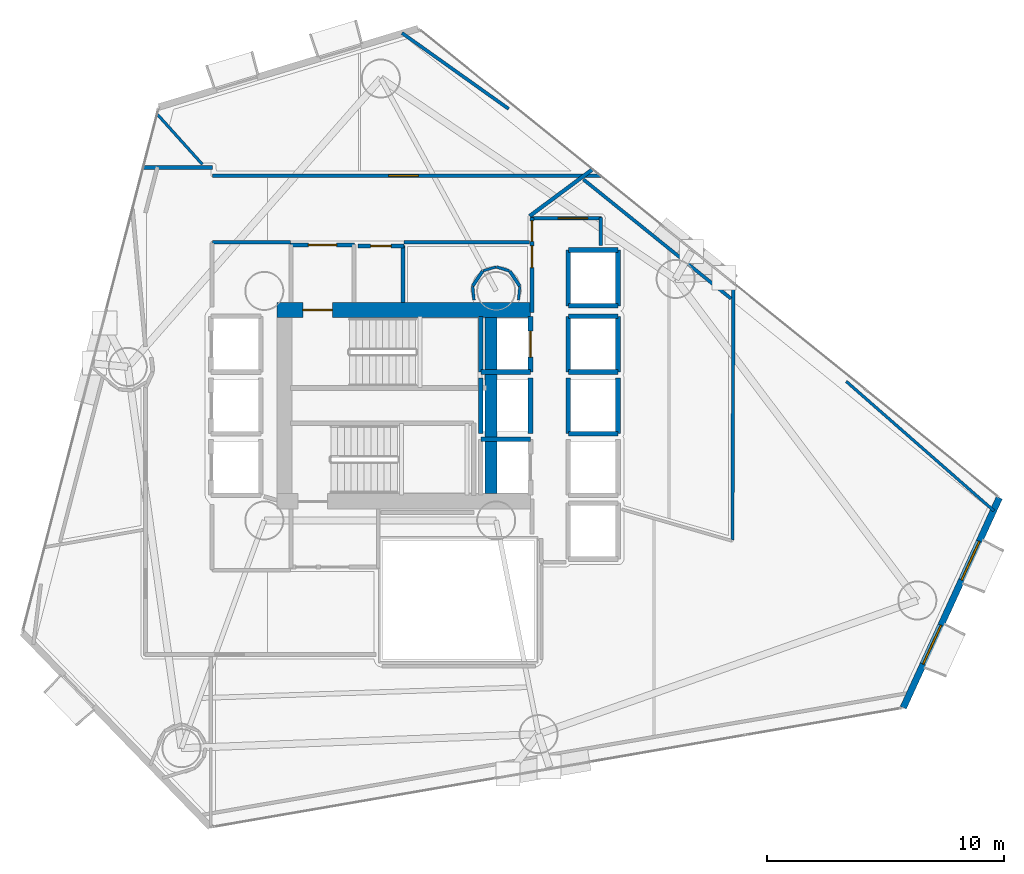
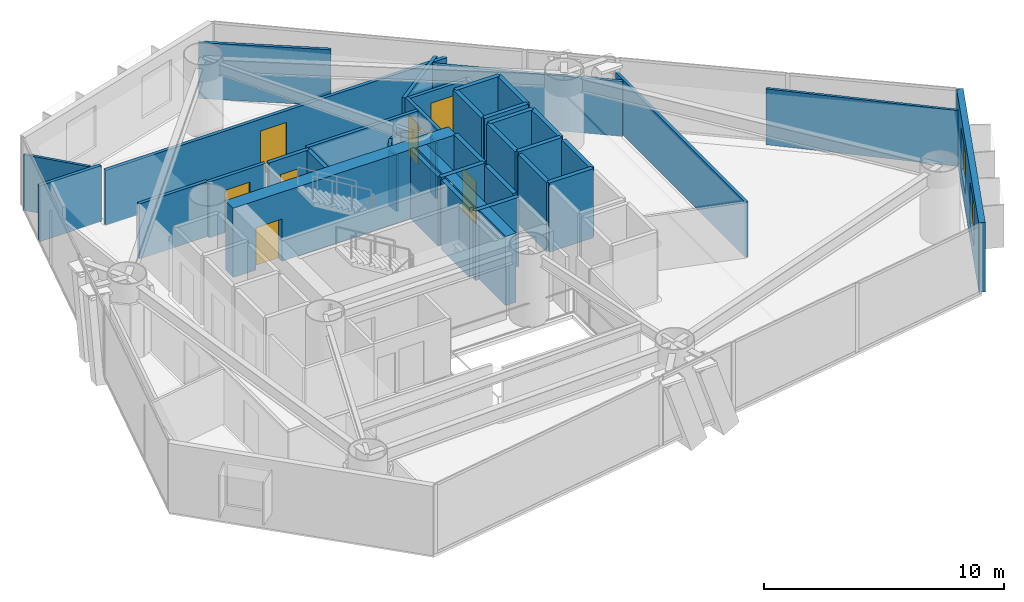
# One storey, part 18 of 23: 42 walls, 8 doors, 2 windows, 10 openings.
"""IFC4 building model written with IfcOpenShell, lengths in metres."""

from ifc_helpers import new_model, si_unit, direction, frame, frame_2d, origin, place, context, subcontext, project, spatial, rectangle, extrude, material, layer, layer_set, type_object, element, fill, save


model = new_model("IFC4")

# Units and contexts
model_context = context("Model", 3, precision=1e-05, world=origin(), true_north=direction((0.0, 1.0)))
body_context = subcontext(model_context, "Body", "Model", "MODEL_VIEW")
ifc_project = project(units=[si_unit("LENGTHUNIT", "METRE"), si_unit("AREAUNIT", "SQUARE_METRE"), si_unit("VOLUMEUNIT", "CUBIC_METRE"), si_unit("PLANEANGLEUNIT", "RADIAN"), si_unit("MASSUNIT", "GRAM", prefix="KILO")], contexts=[model_context])

# Site, building, storey
site_placement = place(None, origin())
site = spatial("IfcSite", under=ifc_project, at=site_placement, CompositionType="ELEMENT")
building_placement = place(site_placement, origin())
building = spatial("IfcBuilding", under=site, at=building_placement, Name="Qianvela Tower", CompositionType="ELEMENT")
storey_placement = place(building_placement, frame((0.0, 0.0, 82.10009765625)))
storey = spatial("IfcBuildingStorey", under=building, at=storey_placement, Name="L20", CompositionType="ELEMENT", Elevation=82.10009765625)

# Wall, openings, windows
ifc_material_1 = material(Name="Terracotta Cladding on Concrete C40", Category="masonry")
ifc_layer_1 = layer(ifc_material_1, 0.280029296875)
ifc_layer_set_1 = layer_set([ifc_layer_1], Name="Terracotta Cladding on Concrete C40")
wall_type_1 = type_object("IfcWallType", Name="TERRACOTTA-WALL-280", PredefinedType="SOLIDWALL", material=ifc_layer_set_1)
wall_1_placement = place(storey_placement, frame((55.60400390625, 15.93408203125, 0.0), z_axis=(0.0, 0.0, 1.0), x_axis=(0.415996733126, 0.909366107807, 0.0)))
wall_1 = element("IfcWall", 1, at=wall_1_placement, inside=storey, type_object=wall_type_1, Name="L20 Terracotta Chamfer Facet Wall 1", PredefinedType="SOLIDWALL", context=body_context, shape_type="SweptSolid", body=[
    extrude(rectangle(XDim=9.7626953125, YDim=0.280029296875, at=frame_2d((4.88134765625, 0.0))), origin(), (0.0, 0.0, 1.0), 3.52001953125),
])
opening_1_placement = place(wall_1_placement, frame((2.02880859375, 0.0, 0.85009765625)))
opening_1 = element("IfcOpeningElement", 2, at=opening_1_placement, cuts=wall_1, Name="Opening W-01", PredefinedType="OPENING", context=body_context, shape_type="SweptSolid", body=[
    extrude(rectangle(XDim=1.800048828125, YDim=2.10009765625, at=frame_2d((0.89990234375, 1.050048828125))), frame((0.0, 0.14990234375, 0.0), z_axis=(0.0, -1.0, 0.0), x_axis=(1.0, 0.0, 0.0)), (0.0, 0.0, 1.0), 0.300048828125),
])
opening_2_placement = place(wall_1_placement, frame((5.93408203125, 0.0, 0.85009765625)))
opening_2 = element("IfcOpeningElement", 3, at=opening_2_placement, cuts=wall_1, Name="Opening W-01", PredefinedType="OPENING", context=body_context, shape_type="SweptSolid", body=[
    extrude(rectangle(XDim=1.800048828125, YDim=2.10009765625, at=frame_2d((0.89990234375, 1.050048828125))), frame((0.0, 0.14990234375, 0.0), z_axis=(0.0, -1.0, 0.0), x_axis=(1.0, 0.0, 0.0)), (0.0, 0.0, 1.0), 0.300048828125),
])
ifc_material_2 = material(Name="Thermally Broken Aluminium and Low-E Glass", Category="aluminium")
window_type = type_object("IfcWindowType", Name="WIN-TC-1800x2100", PartitioningType="DOUBLE_PANEL_VERTICAL", PredefinedType="WINDOW", material=ifc_material_2)
window_1_placement = place(opening_1_placement, origin())
window_1 = element("IfcWindow", 4, at=window_1_placement, inside=storey, type_object=window_type, Name="L20 Chamfer Facet Window 1.1", OverallHeight=2.10009765625, OverallWidth=1.800048828125, PartitioningType="SINGLE_PANEL", PredefinedType="WINDOW", context=body_context, shape_type="SweptSolid", body=[
    extrude(rectangle(XDim=1.800048828125, YDim=2.10009765625, at=frame_2d((0.89990234375, 1.050048828125))), frame((0.0, 0.030029296875, 0.0), z_axis=(0.0, -1.0, 0.0), x_axis=(1.0, 0.0, 0.0)), (0.0, 0.0, 1.0), 0.06005859375),
])
fill(opening_1, window_1)
window_2_placement = place(opening_2_placement, origin())
window_2 = element("IfcWindow", 5, at=window_2_placement, inside=storey, type_object=window_type, Name="L20 Chamfer Facet Window 1.2", OverallHeight=2.10009765625, OverallWidth=1.800048828125, PartitioningType="SINGLE_PANEL", PredefinedType="WINDOW", context=body_context, shape_type="SweptSolid", body=[
    extrude(rectangle(XDim=1.800048828125, YDim=2.10009765625, at=frame_2d((0.89990234375, 1.050048828125))), frame((0.0, 0.030029296875, 0.0), z_axis=(0.0, -1.0, 0.0), x_axis=(1.0, 0.0, 0.0)), (0.0, 0.0, 1.0), 0.06005859375),
])
fill(opening_2, window_2)

# Wall, opening, door
ifc_material_3 = material(Name="Concrete C60", Category="concrete")
ifc_layer_2 = layer(ifc_material_3, 0.64990234375)
ifc_layer_set_2 = layer_set([ifc_layer_2], Name="Concrete C60")
wall_type_2 = type_object("IfcWallType", Name="WT-CORE-650", PredefinedType="SHEAR", material=ifc_layer_set_2)
wall_2_placement = place(storey_placement, frame((29.1298828125, 32.7451171875, 0.0), z_axis=(0.0, 0.0, 1.0), x_axis=(1.0, 0.0, 0.0)))
wall_2 = element("IfcWall", 6, at=wall_2_placement, inside=storey, type_object=wall_type_2, Name="L20 North Core Shear Wall", PredefinedType="SHEAR", context=body_context, shape_type="SweptSolid", body=[
    extrude(rectangle(XDim=10.72021484375, YDim=0.64990234375, at=frame_2d((5.360107421875, 0.0))), origin(), (0.0, 0.0, 1.0), 3.52001953125),
])
opening_3_placement = place(wall_2_placement, frame((1.094970703125, 0.0, 0.0)))
opening_3 = element("IfcOpeningElement", 7, at=opening_3_placement, cuts=wall_2, Name="Opening D-ST1", PredefinedType="OPENING", context=body_context, shape_type="SweptSolid", body=[
    extrude(rectangle(XDim=1.25, YDim=2.14990234375, at=frame_2d((0.625, 1.074951171875))), frame((0.0, 0.3349609375, 0.0), z_axis=(0.0, -1.0, 0.0), x_axis=(1.0, 0.0, 0.0)), (0.0, 0.0, 1.0), 0.669921875),
])
ifc_material_4 = material(Name="Galvanised Fire Steel Q355B", Category="steel")
door_type_1 = type_object("IfcDoorType", Name="DT-STAIR-FD90", OperationType="NOTDEFINED", PredefinedType="DOOR", material=ifc_material_4)
door_1_placement = place(opening_3_placement, origin())
door_1 = element("IfcDoor", 8, at=door_1_placement, inside=storey, type_object=door_type_1, Name="L20 Stair ST-1 Exit Door", OperationType="SINGLE_SWING_RIGHT", OverallHeight=2.14990234375, OverallWidth=1.25, PredefinedType="DOOR", context=body_context, shape_type="SweptSolid", body=[
    extrude(rectangle(XDim=1.25, YDim=2.14990234375, at=frame_2d((0.625, 1.074951171875))), frame((0.0, 0.02490234375, 0.0), z_axis=(0.0, -1.0, 0.0), x_axis=(1.0, 0.0, 0.0)), (0.0, 0.0, 1.0), 0.050048828125),
])
fill(opening_3, door_1)

# Wall
wall_3_placement = place(storey_placement, frame((38.179931640625, 24.97998046875, 0.0), z_axis=(0.0, 0.0, 1.0), x_axis=(0.0, 1.0, 0.0)))
element("IfcWall", 9, at=wall_3_placement, inside=storey, type_object=wall_type_2, Name="L20 East Spine Core Shear Wall", PredefinedType="SHEAR", context=body_context, shape_type="SweptSolid", body=[
    extrude(rectangle(XDim=7.43994140625, YDim=0.5, at=frame_2d((3.719970703125, 0.0))), origin(), (0.0, 0.0, 1.0), 3.52001953125),
])

# Wall, opening, door
ifc_material_5 = material(Name="Fire-Rated Gypsum and Concrete Block", Category="concrete")
ifc_layer_3 = layer(ifc_material_5, 0.159912109375)
ifc_layer_set_3 = layer_set([ifc_layer_3], Name="Fire-Rated Gypsum and Concrete Block")
wall_type_3 = type_object("IfcWallType", Name="WT-CORR-160", PredefinedType="PARTITIONING", material=ifc_layer_set_3)
wall_4_placement = place(storey_placement, frame((29.699951171875, 35.489013671875, 0.0), z_axis=(0.0, 0.0, 1.0), x_axis=(1.0, 0.0, 0.0)))
wall_4 = element("IfcWall", 10, at=wall_4_placement, inside=storey, type_object=wall_type_3, Name="L20 Partition 3", PredefinedType="PARTITIONING", context=body_context, shape_type="SweptSolid", body=[
    extrude(rectangle(XDim=2.719970703125, YDim=0.159912109375, at=frame_2d((1.35986328125, 0.0))), origin(), (0.0, 0.0, 1.0), 2.83984375),
])
opening_4_placement = place(wall_4_placement, frame((0.760009765625, 0.0, 0.0)))
opening_4 = element("IfcOpeningElement", 11, at=opening_4_placement, cuts=wall_4, Name="Opening D-LB1", PredefinedType="OPENING", context=body_context, shape_type="SweptSolid", body=[
    extrude(rectangle(XDim=1.199951171875, YDim=2.14990234375, at=frame_2d((0.60009765625, 1.074951171875))), frame((0.0, 0.08984375, 0.0), z_axis=(0.0, -1.0, 0.0), x_axis=(1.0, 0.0, 0.0)), (0.0, 0.0, 1.0), 0.179931640625),
])
ifc_material_6 = material(Name="Glazed Fire-Rated Steel Frame", Category="steel")
door_type_2 = type_object("IfcDoorType", Name="DT-LOBBY-FD90", OperationType="NOTDEFINED", PredefinedType="DOOR", material=ifc_material_6)
door_2_placement = place(opening_4_placement, origin())
door_2 = element("IfcDoor", 12, at=door_2_placement, inside=storey, type_object=door_type_2, Name="L20 Door L20 Firefighting Lobby North to L20 Floor Corridor", OperationType="SINGLE_SWING_RIGHT", OverallHeight=2.14990234375, OverallWidth=1.199951171875, PredefinedType="DOOR", context=body_context, shape_type="SweptSolid", body=[
    extrude(rectangle(XDim=1.199951171875, YDim=2.14990234375, at=frame_2d((0.60009765625, 1.074951171875))), frame((0.0, 0.02490234375, 0.0), z_axis=(0.0, -1.0, 0.0), x_axis=(1.0, 0.0, 0.0)), (0.0, 0.0, 1.0), 0.050048828125),
])
fill(opening_4, door_2)

# Wall, openings, doors
wall_5_placement = place(storey_placement, frame((39.910888671875, 32.639892578125, 0.0), z_axis=(0.0, 0.0, 1.0), x_axis=(0.0, 1.0, 0.0)))
wall_5 = element("IfcWall", 13, at=wall_5_placement, inside=storey, type_object=wall_type_3, Name="L20 Partition 10", PredefinedType="PARTITIONING", context=body_context, shape_type="SweptSolid", body=[
    extrude(rectangle(XDim=4.010009765625, YDim=0.159912109375, at=frame_2d((2.0048828125, 0.0))), origin(), (0.0, 0.0, 1.0), 2.83984375),
])
opening_5_placement = place(wall_5_placement, frame((3.010009765625, 0.0, 0.0)))
opening_5 = element("IfcOpeningElement", 14, at=opening_5_placement, cuts=wall_5, Name="Opening D-LB2", PredefinedType="OPENING", context=body_context, shape_type="SweptSolid", body=[
    extrude(rectangle(XDim=0.860107421875, YDim=2.050048828125, at=frame_2d((0.43017578125, 1.02490234375))), frame((0.0, 0.08984375, 0.0), z_axis=(0.0, -1.0, 0.0), x_axis=(1.0, 0.0, 0.0)), (0.0, 0.0, 1.0), 0.179931640625),
])
opening_6_placement = place(wall_5_placement, frame((1.900390625, 0.0, 0.0)))
opening_6 = element("IfcOpeningElement", 15, at=opening_6_placement, cuts=wall_5, Name="Opening D-RM2", PredefinedType="OPENING", context=body_context, shape_type="SweptSolid", body=[
    extrude(rectangle(XDim=0.919921875, YDim=2.10009765625, at=frame_2d((0.4599609375, 1.050048828125))), frame((0.0, 0.08984375, 0.0), z_axis=(0.0, -1.0, 0.0), x_axis=(1.0, 0.0, 0.0)), (0.0, 0.0, 1.0), 0.179931640625),
])
ifc_material_7 = material(Name="Insulated Steel Fire Door Q355B", Category="steel")
door_type_3 = type_object("IfcDoorType", Name="DT-LOBBY-FD90-860", OperationType="NOTDEFINED", PredefinedType="DOOR", material=ifc_material_7)
door_3_placement = place(opening_5_placement, origin())
door_3 = element("IfcDoor", 16, at=door_3_placement, inside=storey, type_object=door_type_3, Name="L20 Door L20 Lift Lobby to L20 Floor Corridor", OperationType="SINGLE_SWING_RIGHT", OverallHeight=2.050048828125, OverallWidth=0.860107421875, PredefinedType="DOOR", context=body_context, shape_type="SweptSolid", body=[
    extrude(rectangle(XDim=0.860107421875, YDim=2.050048828125, at=frame_2d((0.43017578125, 1.02490234375))), frame((0.0, 0.02490234375, 0.0), z_axis=(0.0, -1.0, 0.0), x_axis=(1.0, 0.0, 0.0)), (0.0, 0.0, 1.0), 0.050048828125),
])
fill(opening_5, door_3)
ifc_material_8 = material(Name="Acoustic Oak Veneer Timber Door", Category="wood")
door_type_4 = type_object("IfcDoorType", Name="DT-ROOM-920", OperationType="NOTDEFINED", PredefinedType="DOOR", material=ifc_material_8)
door_4_placement = place(opening_6_placement, origin())
door_4 = element("IfcDoor", 17, at=door_4_placement, inside=storey, type_object=door_type_4, Name="L20 Door Project Huddle Conference L20-04 to L20 Lift Lobby", OperationType="SINGLE_SWING_LEFT", OverallHeight=2.10009765625, OverallWidth=0.919921875, PredefinedType="DOOR", context=body_context, shape_type="SweptSolid", body=[
    extrude(rectangle(XDim=0.919921875, YDim=2.10009765625, at=frame_2d((0.4599609375, 1.050048828125))), frame((0.0, 0.02490234375, 0.0), z_axis=(0.0, -1.0, 0.0), x_axis=(1.0, 0.0, 0.0)), (0.0, 0.0, 1.0), 0.050048828125),
])
fill(opening_6, door_4)

# Wall, opening, door
wall_6_placement = place(storey_placement, frame((39.8798828125, 36.618896484375, 0.0), z_axis=(0.0, 0.0, 1.0), x_axis=(1.0, 0.0, 0.0)))
wall_6 = element("IfcWall", 18, at=wall_6_placement, inside=storey, type_object=wall_type_3, Name="L20 Partition 11", PredefinedType="PARTITIONING", context=body_context, shape_type="SweptSolid", body=[
    extrude(rectangle(XDim=2.97021484375, YDim=0.159912109375, at=frame_2d((1.485107421875, 0.0))), origin(), (0.0, 0.0, 1.0), 2.7978515625),
])
opening_7_placement = place(wall_6_placement, frame((1.139892578125, 0.0, 0.0)))
opening_7 = element("IfcOpeningElement", 19, at=opening_7_placement, cuts=wall_6, Name="Opening D-LG1", PredefinedType="OPENING", context=body_context, shape_type="SweptSolid", body=[
    extrude(rectangle(XDim=1.25, YDim=2.199951171875, at=frame_2d((0.625, 1.10009765625))), frame((0.0, 0.08984375, 0.0), z_axis=(0.0, -1.0, 0.0), x_axis=(1.0, 0.0, 0.0)), (0.0, 0.0, 1.0), 0.179931640625),
])
ifc_material_9 = material(Name="Anodised Aluminium Acoustic Glass Door", Category="aluminium")
door_type_5 = type_object("IfcDoorType", Name="DT-LOUNGE-1250", OperationType="NOTDEFINED", PredefinedType="DOOR", material=ifc_material_9)
door_5_placement = place(opening_7_placement, origin())
door_5 = element("IfcDoor", 20, at=door_5_placement, inside=storey, type_object=door_type_5, Name="L20 Door Tutorial Breakout Seminar L20-03 to L20 Lift Lobby", OperationType="SINGLE_SWING_LEFT", OverallHeight=2.199951171875, OverallWidth=1.25, PredefinedType="DOOR", context=body_context, shape_type="SweptSolid", body=[
    extrude(rectangle(XDim=1.25, YDim=2.199951171875, at=frame_2d((0.625, 1.10009765625))), frame((0.0, 0.02490234375, 0.0), z_axis=(0.0, -1.0, 0.0), x_axis=(1.0, 0.0, 0.0)), (0.0, 0.0, 1.0), 0.050048828125),
])
fill(opening_7, door_5)

# Walls
wall_7_placement = place(storey_placement, frame((42.819091796875, 36.64990234375, 0.0), z_axis=(0.0, 0.0, 1.0), x_axis=(0.0, -1.0, 0.0)))
element("IfcWall", 21, at=wall_7_placement, inside=storey, type_object=wall_type_3, Name="L20 Partition 12", PredefinedType="PARTITIONING", context=body_context, shape_type="SweptSolid", body=[
    extrude(rectangle(XDim=1.169921875, YDim=0.159912109375, at=frame_2d((0.5849609375, 0.0))), origin(), (0.0, 0.0, 1.0), 2.7978515625),
])
wall_8_placement = place(storey_placement, frame((23.461669921875, 38.76904296875, 0.0), z_axis=(0.0, 0.0, 1.0), x_axis=(1.0, 0.0, 0.0)))
element("IfcWall", 22, at=wall_8_placement, inside=storey, type_object=wall_type_3, Name="L20 Partition 37", PredefinedType="PARTITIONING", context=body_context, shape_type="SweptSolid", body=[
    extrude(rectangle(XDim=2.958251953125, YDim=0.159912109375, at=frame_2d((1.47900390625, 0.0))), origin(), (0.0, 0.0, 1.0), 2.83984375),
])

# Wall, opening, door
wall_9_placement = place(storey_placement, frame((26.419921875, 38.4189453125, 0.0), z_axis=(0.0, 0.0, 1.0), x_axis=(1.0, 0.0, 0.0)))
wall_9 = element("IfcWall", 23, at=wall_9_placement, inside=storey, type_object=wall_type_3, Name="L20 Partition 38", PredefinedType="PARTITIONING", context=body_context, shape_type="SweptSolid", body=[
    extrude(rectangle(XDim=16.41015625, YDim=0.159912109375, at=frame_2d((8.205078125, 0.0))), origin(), (0.0, 0.0, 1.0), 2.7978515625),
])
opening_8_placement = place(wall_9_placement, frame((7.437744140625, 0.0, 0.0)))
opening_8 = element("IfcOpeningElement", 24, at=opening_8_placement, cuts=wall_9, Name="Opening D-LG1", PredefinedType="OPENING", context=body_context, shape_type="SweptSolid", body=[
    extrude(rectangle(XDim=1.25, YDim=2.199951171875, at=frame_2d((0.625, 1.10009765625))), frame((0.0, 0.08984375, 0.0), z_axis=(0.0, -1.0, 0.0), x_axis=(1.0, 0.0, 0.0)), (0.0, 0.0, 1.0), 0.179931640625),
])
door_6_placement = place(opening_8_placement, origin())
door_6 = element("IfcDoor", 25, at=door_6_placement, inside=storey, type_object=door_type_5, Name="L20 Door Debate Lecture Classroom L20-05 to L20 Floor Corridor", OperationType="SINGLE_SWING_RIGHT", OverallHeight=2.199951171875, OverallWidth=1.25, PredefinedType="DOOR", context=body_context, shape_type="SweptSolid", body=[
    extrude(rectangle(XDim=1.25, YDim=2.199951171875, at=frame_2d((0.625, 1.10009765625))), frame((0.0, 0.02490234375, 0.0), z_axis=(0.0, -1.0, 0.0), x_axis=(1.0, 0.0, 0.0)), (0.0, 0.0, 1.0), 0.050048828125),
])
fill(opening_8, door_6)

# Walls
wall_10_placement = place(storey_placement, frame((42.490234375, 38.701904296875, 0.0), z_axis=(0.0, 0.0, 1.0), x_axis=(-0.802811948591, -0.596232316467, 0.0)))
element("IfcWall", 26, at=wall_10_placement, inside=storey, type_object=wall_type_3, Name="L20 Partition 39", PredefinedType="PARTITIONING", context=body_context, shape_type="SweptSolid", body=[
    extrude(rectangle(XDim=3.333984375, YDim=0.159912109375, at=frame_2d((1.6669921875, 0.0))), origin(), (0.0, 0.0, 1.0), 2.7978515625),
])
wall_11_placement = place(storey_placement, frame((39.818115234375, 35.611083984375, 0.0), z_axis=(0.0, 0.0, 1.0), x_axis=(-1.0, 0.0, 0.0)))
element("IfcWall", 27, at=wall_11_placement, inside=storey, type_object=wall_type_3, Name="L20 Partition 41 seg 1", PredefinedType="PARTITIONING", context=body_context, shape_type="SweptSolid", body=[
    extrude(rectangle(XDim=5.318115234375, YDim=0.159912109375, at=frame_2d((2.6591796875, 0.0))), origin(), (0.0, 0.0, 1.0), 2.83984375),
])
wall_12_placement = place(storey_placement, frame((29.699951171875, 35.611083984375, 0.0), z_axis=(0.0, 0.0, 1.0), x_axis=(-1.0, 0.0, 0.0)))
element("IfcWall", 28, at=wall_12_placement, inside=storey, type_object=wall_type_3, Name="L20 Partition 41 seg 3", PredefinedType="PARTITIONING", context=body_context, shape_type="SweptSolid", body=[
    extrude(rectangle(XDim=3.280029296875, YDim=0.159912109375, at=frame_2d((1.64013671875, 0.0))), origin(), (0.0, 0.0, 1.0), 2.7978515625),
])
ifc_material_10 = material(Name="Lightweight Gypsum Room Partition")
ifc_layer_4 = layer(ifc_material_10, 0.10498046875)
ifc_layer_set_4 = layer_set([ifc_layer_4], Name="Lightweight Gypsum Room Partition")
wall_type_4 = type_object("IfcWallType", Name="WT-PART-105", PredefinedType="PARTITIONING", material=ifc_layer_set_4)
wall_13_placement = place(storey_placement, frame((39.3408203125, 33.169921875, 0.0), z_axis=(0.0, 0.0, 1.0), x_axis=(0.098193262045, 0.995167364461, 0.0)))
element("IfcWall", 29, at=wall_13_placement, inside=storey, type_object=wall_type_4, Name="L20 Partition 92", PredefinedType="PARTITIONING", context=body_context, shape_type="SweptSolid", body=[
    extrude(rectangle(XDim=0.57177734375, YDim=0.10498046875, at=frame_2d((0.285888671875, 0.0))), origin(), (0.0, 0.0, 1.0), 2.83984375),
])
wall_14_placement = place(storey_placement, frame((38.39111328125, 34.564697265625, 0.0), z_axis=(0.0, 0.0, 1.0), x_axis=(-0.956952578659, -0.290244314669, 0.0)))
element("IfcWall", 30, at=wall_14_placement, inside=storey, type_object=wall_type_4, Name="L20 Partition 95", PredefinedType="PARTITIONING", context=body_context, shape_type="SweptSolid", body=[
    extrude(rectangle(XDim=0.572021484375, YDim=0.10498046875, at=frame_2d((0.2861328125, 0.0))), origin(), (0.0, 0.0, 1.0), 2.83984375),
])
ifc_material_11 = material(Name="Insulated Gypsum Stud Partition")
ifc_layer_5 = layer(ifc_material_11, 0.1201171875)
ifc_layer_set_5 = layer_set([ifc_layer_5], Name="Insulated Gypsum Stud Partition")
wall_type_5 = type_object("IfcWallType", Name="WT-PART-120", PredefinedType="PARTITIONING", material=ifc_layer_set_5)
wall_15_placement = place(storey_placement, frame((53.1923828125, 29.72900390625, 0.0), z_axis=(0.0, 0.0, 1.0), x_axis=(0.752029737889, -0.65912917803, 0.0)))
element("IfcWall", 31, at=wall_15_placement, inside=storey, type_object=wall_type_5, Name="L20 Partition 67 seg 1", PredefinedType="PARTITIONING", context=body_context, shape_type="SweptSolid", body=[
    extrude(rectangle(XDim=8.299072265625, YDim=0.1201171875, at=frame_2d((4.1494140625, 0.0))), origin(), (0.0, 0.0, 1.0), 2.83984375),
])
wall_16_placement = place(storey_placement, frame((38.956298828125, 34.398681640625, 0.0), z_axis=(0.0, 0.0, 1.0), x_axis=(-0.956952578659, 0.290244314669, 0.0)))
element("IfcWall", 32, at=wall_16_placement, inside=storey, type_object=wall_type_5, Name="L20 Partition 94", PredefinedType="PARTITIONING", context=body_context, shape_type="SweptSolid", body=[
    extrude(rectangle(XDim=0.572021484375, YDim=0.1201171875, at=frame_2d((0.2861328125, 0.0))), origin(), (0.0, 0.0, 1.0), 2.83984375),
])
wall_17_placement = place(storey_placement, frame((37.403076171875, 33.739013671875, 0.0), z_axis=(0.0, 0.0, 1.0), x_axis=(0.097770424665, -0.995208995167, 0.0)))
element("IfcWall", 33, at=wall_17_placement, inside=storey, type_object=wall_type_5, Name="L20 Partition 97", PredefinedType="PARTITIONING", context=body_context, shape_type="SweptSolid", body=[
    extrude(rectangle(XDim=0.57177734375, YDim=0.1201171875, at=frame_2d((0.285888671875, 0.0))), origin(), (0.0, 0.0, 1.0), 2.83984375),
])
wall_18_placement = place(storey_placement, frame((25.982421875, 38.900634765625, 0.0), z_axis=(0.0, 0.0, 1.0), x_axis=(-0.669105172326, 0.743167725595, 0.0)))
element("IfcWall", 34, at=wall_18_placement, inside=storey, type_object=wall_type_5, Name="L20 Partition 103", PredefinedType="PARTITIONING", context=body_context, shape_type="SweptSolid", body=[
    extrude(rectangle(XDim=2.881103515625, YDim=0.1201171875, at=frame_2d((1.4404296875, 0.0))), origin(), (0.0, 0.0, 1.0), 2.83984375),
])

# Wall, opening, door
ifc_material_12 = material(Name="Moisture-Resistant Acoustic Plumbing Wall")
ifc_layer_6 = layer(ifc_material_12, 0.175048828125)
ifc_layer_set_6 = layer_set([ifc_layer_6], Name="Moisture-Resistant Acoustic Plumbing Wall")
wall_type_6 = type_object("IfcWallType", Name="WT-PLUMB-175", PredefinedType="PLUMBINGWALL", material=ifc_layer_set_6)
wall_19_placement = place(storey_placement, frame((32.550048828125, 35.448974609375, 0.0), z_axis=(0.0, 0.0, 1.0), x_axis=(1.0, 0.0, 0.0)))
wall_19 = element("IfcWall", 35, at=wall_19_placement, inside=storey, type_object=wall_type_6, Name="L20 Partition 20", PredefinedType="PLUMBINGWALL", context=body_context, shape_type="SweptSolid", body=[
    extrude(rectangle(XDim=1.949951171875, YDim=0.175048828125, at=frame_2d((0.97509765625, 0.0))), origin(), (0.0, 0.0, 1.0), 2.83984375),
])
opening_9_placement = place(wall_19_placement, frame((0.544921875, 0.0, 0.0)))
opening_9 = element("IfcOpeningElement", 36, at=opening_9_placement, cuts=wall_19, Name="Opening D-WC1", PredefinedType="OPENING", context=body_context, shape_type="SweptSolid", body=[
    extrude(rectangle(XDim=0.860107421875, YDim=2.050048828125, at=frame_2d((0.43017578125, 1.02490234375))), frame((0.0, 0.097412109375, 0.0), z_axis=(0.0, -1.0, 0.0), x_axis=(1.0, 0.0, 0.0)), (0.0, 0.0, 1.0), 0.195068359375),
])
ifc_material_13 = material(Name="Moisture-Sealed Acoustic Timber Door", Category="wood")
door_type_6 = type_object("IfcDoorType", Name="DT-WC-860", OperationType="NOTDEFINED", PredefinedType="DOOR", material=ifc_material_13)
door_7_placement = place(opening_9_placement, origin())
door_7 = element("IfcDoor", 37, at=door_7_placement, inside=storey, type_object=door_type_6, Name="L20 Door L20 Accessible WC to L20 Floor Corridor", OperationType="SINGLE_SWING_LEFT", OverallHeight=2.050048828125, OverallWidth=0.860107421875, PredefinedType="DOOR", context=body_context, shape_type="SweptSolid", body=[
    extrude(rectangle(XDim=0.860107421875, YDim=2.050048828125, at=frame_2d((0.43017578125, 1.02490234375))), frame((0.0, 0.02490234375, 0.0), z_axis=(0.0, -1.0, 0.0), x_axis=(1.0, 0.0, 0.0)), (0.0, 0.0, 1.0), 0.050048828125),
])
fill(opening_9, door_7)

# Walls
wall_20_placement = place(storey_placement, frame((34.468994140625, 35.47998046875, 0.0), z_axis=(0.0, 0.0, 1.0), x_axis=(0.0, -1.0, 0.0)))
element("IfcWall", 38, at=wall_20_placement, inside=storey, type_object=wall_type_6, Name="L20 Partition 21", PredefinedType="PLUMBINGWALL", context=body_context, shape_type="SweptSolid", body=[
    extrude(rectangle(XDim=2.421875, YDim=0.175048828125, at=frame_2d((1.2109375, 0.0))), origin(), (0.0, 0.0, 1.0), 2.83984375),
])
ifc_material_14 = material(Name="Acoustic Double Gypsum Stud Partition")
ifc_layer_7 = layer(ifc_material_14, 0.139892578125)
ifc_layer_set_7 = layer_set([ifc_layer_7], Name="Acoustic Double Gypsum Stud Partition")
wall_type_7 = type_object("IfcWallType", Name="WT-ROOM-140", PredefinedType="PARTITIONING", material=ifc_layer_set_7)
wall_21_placement = place(storey_placement, frame((48.3837890625, 23.02587890625, 0.0), z_axis=(0.0, 0.0, 1.0), x_axis=(0.003927258762, 0.99999228829, 0.0)))
element("IfcWall", 39, at=wall_21_placement, inside=storey, type_object=wall_type_7, Name="L20 Partition 66", PredefinedType="PARTITIONING", context=body_context, shape_type="SweptSolid", body=[
    extrude(rectangle(XDim=10.87890625, YDim=0.139892578125, at=frame_2d((5.439453125, 0.0))), origin(), (0.0, 0.0, 1.0), 2.7978515625),
])
wall_22_placement = place(storey_placement, frame((42.08984375, 38.260009765625, 0.0), z_axis=(0.0, 0.0, 1.0), x_axis=(0.778096949257, -0.628144201244, 0.0)))
element("IfcWall", 40, at=wall_22_placement, inside=storey, type_object=wall_type_7, Name="L20 Partition 84", PredefinedType="PARTITIONING", context=body_context, shape_type="SweptSolid", body=[
    extrude(rectangle(XDim=8.013671875, YDim=0.139892578125, at=frame_2d((4.0068359375, 0.0))), origin(), (0.0, 0.0, 1.0), 2.7978515625),
])
wall_23_placement = place(storey_placement, frame((39.391845703125, 33.759521484375, 0.0), z_axis=(0.0, 0.0, 1.0), x_axis=(-0.555746078923, 0.831352088926, 0.0)))
element("IfcWall", 41, at=wall_23_placement, inside=storey, type_object=wall_type_7, Name="L20 Partition 93", PredefinedType="PARTITIONING", context=body_context, shape_type="SweptSolid", body=[
    extrude(rectangle(XDim=0.75390625, YDim=0.139892578125, at=frame_2d((0.376953125, 0.0))), origin(), (0.0, 0.0, 1.0), 2.83984375),
])
wall_24_placement = place(storey_placement, frame((37.826904296875, 34.38623046875, 0.0), z_axis=(0.0, 0.0, 1.0), x_axis=(-0.555522182913, -0.831501716349, 0.0)))
element("IfcWall", 42, at=wall_24_placement, inside=storey, type_object=wall_type_7, Name="L20 Partition 96", PredefinedType="PARTITIONING", context=body_context, shape_type="SweptSolid", body=[
    extrude(rectangle(XDim=0.753662109375, YDim=0.139892578125, at=frame_2d((0.376953125, 0.0))), origin(), (0.0, 0.0, 1.0), 2.83984375),
])
wall_25_placement = place(storey_placement, frame((34.4189453125, 44.452392578125, 0.0), z_axis=(0.0, 0.0, 1.0), x_axis=(0.814826110471, -0.579705450806, 0.0)))
element("IfcWall", 43, at=wall_25_placement, inside=storey, type_object=wall_type_7, Name="L20 Partition 105 seg 1", PredefinedType="PARTITIONING", context=body_context, shape_type="SweptSolid", body=[
    extrude(rectangle(XDim=5.533447265625, YDim=0.139892578125, at=frame_2d((2.7666015625, 0.0))), origin(), (0.0, 0.0, 1.0), 2.83984375),
])

# Wall, opening, door
ifc_material_15 = material(Name="Concrete C50", Category="concrete")
ifc_layer_8 = layer(ifc_material_15, 0.199951171875)
ifc_layer_set_8 = layer_set([ifc_layer_8], Name="Concrete C50")
wall_type_8 = type_object("IfcWallType", Name="WT-SHAFT-200", PredefinedType="SOLIDWALL", material=ifc_layer_set_8)
wall_26_placement = place(storey_placement, frame((39.85009765625, 30.1201171875, 0.0), z_axis=(0.0, 0.0, 1.0), x_axis=(0.0, 1.0, 0.0)))
wall_26 = element("IfcWall", 44, at=wall_26_placement, inside=storey, type_object=wall_type_8, Name="L20 Lift FL-1 E Shaft Wall", PredefinedType="SOLIDWALL", context=body_context, shape_type="SweptSolid", body=[
    extrude(rectangle(XDim=2.35986328125, YDim=0.199951171875, at=frame_2d((1.179931640625, 0.0))), origin(), (0.0, 0.0, 1.0), 3.52001953125),
])
opening_10_placement = place(wall_26_placement, frame((0.6298828125, 0.0, 0.0)))
opening_10 = element("IfcOpeningElement", 45, at=opening_10_placement, cuts=wall_26, Name="Opening LD-01", PredefinedType="OPENING", context=body_context, shape_type="SweptSolid", body=[
    extrude(rectangle(XDim=1.10009765625, YDim=2.14990234375, at=frame_2d((0.550048828125, 1.074951171875))), frame((0.0, 0.10986328125, 0.0), z_axis=(0.0, -1.0, 0.0), x_axis=(1.0, 0.0, 0.0)), (0.0, 0.0, 1.0), 0.219970703125),
])
ifc_material_16 = material(Name="Brushed Stainless Steel Lift Landing Door", Category="steel")
door_type_7 = type_object("IfcDoorType", Name="DT-LIFT-SLIDE-1100", OperationType="SLIDING_TO_LEFT", PredefinedType="DOOR", material=ifc_material_16)
door_8_placement = place(opening_10_placement, origin())
door_8 = element("IfcDoor", 46, at=door_8_placement, inside=storey, type_object=door_type_7, Name="L20 Lift FL-1 Sliding Landing Door", OperationType="SLIDING_TO_LEFT", OverallHeight=2.14990234375, OverallWidth=1.10009765625, PredefinedType="DOOR", context=body_context, shape_type="SweptSolid", body=[
    extrude(rectangle(XDim=1.10009765625, YDim=2.14990234375, at=frame_2d((0.550048828125, 1.074951171875))), frame((0.0, 0.02490234375, 0.0), z_axis=(0.0, -1.0, 0.0), x_axis=(1.0, 0.0, 0.0)), (0.0, 0.0, 1.0), 0.050048828125),
])
fill(opening_10, door_8)

# Walls
wall_27_placement = place(storey_placement, frame((37.75, 30.1201171875, 0.0), z_axis=(0.0, 0.0, 1.0), x_axis=(0.0, 1.0, 0.0)))
element("IfcWall", 47, at=wall_27_placement, inside=storey, type_object=wall_type_8, Name="L20 Lift FL-1 W Shaft Wall", PredefinedType="SOLIDWALL", context=body_context, shape_type="SweptSolid", body=[
    extrude(rectangle(XDim=2.35986328125, YDim=0.199951171875, at=frame_2d((1.179931640625, 0.0))), origin(), (0.0, 0.0, 1.0), 3.52001953125),
])
for number, where, z_axis, x_axis, name in (
    (48, (37.75, 30.1201171875, 0.0), (0.0, 0.0, 1.0), (1.0, 0.0, 0.0), "L20 Lift FL-1 S Shaft Wall"),
    (49, (37.75, 27.280029296875, 0.0), (0.0, 0.0, 1.0), (1.0, 0.0, 0.0), "L20 Lift FL-2 N Shaft Wall"),
):
    element("IfcWall", number, at=place(storey_placement, frame(where, z_axis=z_axis, x_axis=x_axis)), inside=storey, type_object=wall_type_8, Name=name, PredefinedType="SOLIDWALL", context=body_context, shape_type="SweptSolid", body=[
        extrude(rectangle(XDim=2.10009765625, YDim=0.199951171875, at=frame_2d((1.050048828125, 0.0))), origin(), (0.0, 0.0, 1.0), 3.52001953125),
    ])
for number, where, z_axis, x_axis, name in (
    (50, (43.550048828125, 30.1201171875, 0.0), (0.0, 0.0, 1.0), (0.0, 1.0, 0.0), "L20 Lift PL-M1 E Shaft Wall"),
    (51, (41.449951171875, 30.1201171875, 0.0), (0.0, 0.0, 1.0), (0.0, 1.0, 0.0), "L20 Lift PL-M1 W Shaft Wall"),
):
    element("IfcWall", number, at=place(storey_placement, frame(where, z_axis=z_axis, x_axis=x_axis)), inside=storey, type_object=wall_type_8, Name=name, PredefinedType="SOLIDWALL", context=body_context, shape_type="SweptSolid", body=[
        extrude(rectangle(XDim=2.35986328125, YDim=0.199951171875, at=frame_2d((1.179931640625, 0.0))), origin(), (0.0, 0.0, 1.0), 3.52001953125),
    ])
for number, where, z_axis, x_axis, name in (
    (52, (41.449951171875, 32.47998046875, 0.0), (0.0, 0.0, 1.0), (1.0, 0.0, 0.0), "L20 Lift PL-M1 N Shaft Wall"),
    (53, (41.449951171875, 30.1201171875, 0.0), (0.0, 0.0, 1.0), (1.0, 0.0, 0.0), "L20 Lift PL-M1 S Shaft Wall"),
):
    element("IfcWall", number, at=place(storey_placement, frame(where, z_axis=z_axis, x_axis=x_axis)), inside=storey, type_object=wall_type_8, Name=name, PredefinedType="SOLIDWALL", context=body_context, shape_type="SweptSolid", body=[
        extrude(rectangle(XDim=2.10009765625, YDim=0.199951171875, at=frame_2d((1.050048828125, 0.0))), origin(), (0.0, 0.0, 1.0), 3.52001953125),
    ])
for number, where, z_axis, x_axis, name in (
    (54, (43.550048828125, 27.52001953125, 0.0), (0.0, 0.0, 1.0), (0.0, 1.0, 0.0), "L20 Lift PL-M2 E Shaft Wall"),
    (55, (41.449951171875, 27.52001953125, 0.0), (0.0, 0.0, 1.0), (0.0, 1.0, 0.0), "L20 Lift PL-M2 W Shaft Wall"),
):
    element("IfcWall", number, at=place(storey_placement, frame(where, z_axis=z_axis, x_axis=x_axis)), inside=storey, type_object=wall_type_8, Name=name, PredefinedType="SOLIDWALL", context=body_context, shape_type="SweptSolid", body=[
        extrude(rectangle(XDim=2.35986328125, YDim=0.199951171875, at=frame_2d((1.179931640625, 0.0))), origin(), (0.0, 0.0, 1.0), 3.52001953125),
    ])
wall_28_placement = place(storey_placement, frame((41.449951171875, 27.52001953125, 0.0), z_axis=(0.0, 0.0, 1.0), x_axis=(1.0, 0.0, 0.0)))
element("IfcWall", 56, at=wall_28_placement, inside=storey, type_object=wall_type_8, Name="L20 Lift PL-M2 S Shaft Wall", PredefinedType="SOLIDWALL", context=body_context, shape_type="SweptSolid", body=[
    extrude(rectangle(XDim=2.10009765625, YDim=0.199951171875, at=frame_2d((1.050048828125, 0.0))), origin(), (0.0, 0.0, 1.0), 3.52001953125),
])
for number, where, z_axis, x_axis, name in (
    (57, (39.85009765625, 27.52001953125, 0.0), (0.0, 0.0, 1.0), (0.0, 1.0, 0.0), "L20 Lift PL-H1 E Shaft Wall"),
    (58, (37.75, 27.52001953125, 0.0), (0.0, 0.0, 1.0), (0.0, 1.0, 0.0), "L20 Lift PL-H1 W Shaft Wall"),
):
    element("IfcWall", number, at=place(storey_placement, frame(where, z_axis=z_axis, x_axis=x_axis)), inside=storey, type_object=wall_type_8, Name=name, PredefinedType="SOLIDWALL", context=body_context, shape_type="SweptSolid", body=[
        extrude(rectangle(XDim=2.35986328125, YDim=0.199951171875, at=frame_2d((1.179931640625, 0.0))), origin(), (0.0, 0.0, 1.0), 3.52001953125),
    ])
for number, where, z_axis, x_axis, name in (
    (59, (43.550048828125, 32.919921875, 0.0), (0.0, 0.0, 1.0), (0.0, 1.0, 0.0), "L20 Lift PL-H3 E Shaft Wall"),
    (60, (41.449951171875, 32.919921875, 0.0), (0.0, 0.0, 1.0), (0.0, 1.0, 0.0), "L20 Lift PL-H3 W Shaft Wall"),
):
    element("IfcWall", number, at=place(storey_placement, frame(where, z_axis=z_axis, x_axis=x_axis)), inside=storey, type_object=wall_type_8, Name=name, PredefinedType="SOLIDWALL", context=body_context, shape_type="SweptSolid", body=[
        extrude(rectangle(XDim=2.360107421875, YDim=0.199951171875, at=frame_2d((1.18017578125, 0.0))), origin(), (0.0, 0.0, 1.0), 3.52001953125),
    ])
for number, where, z_axis, x_axis, name in (
    (61, (41.449951171875, 35.280029296875, 0.0), (0.0, 0.0, 1.0), (1.0, 0.0, 0.0), "L20 Lift PL-H3 N Shaft Wall"),
    (62, (41.449951171875, 32.919921875, 0.0), (0.0, 0.0, 1.0), (1.0, 0.0, 0.0), "L20 Lift PL-H3 S Shaft Wall"),
):
    element("IfcWall", number, at=place(storey_placement, frame(where, z_axis=z_axis, x_axis=x_axis)), inside=storey, type_object=wall_type_8, Name=name, PredefinedType="SOLIDWALL", context=body_context, shape_type="SweptSolid", body=[
        extrude(rectangle(XDim=2.10009765625, YDim=0.199951171875, at=frame_2d((1.050048828125, 0.0))), origin(), (0.0, 0.0, 1.0), 3.52001953125),
    ])

save(model, "model.ifc")
